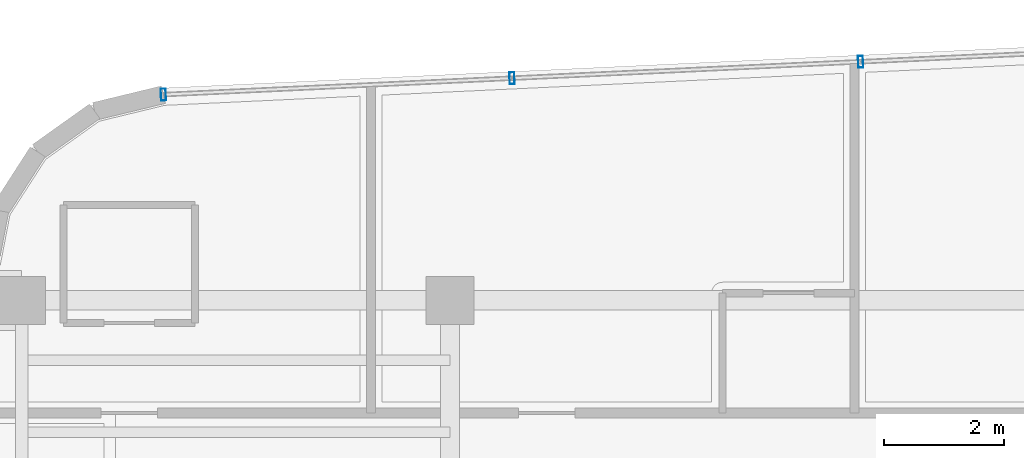
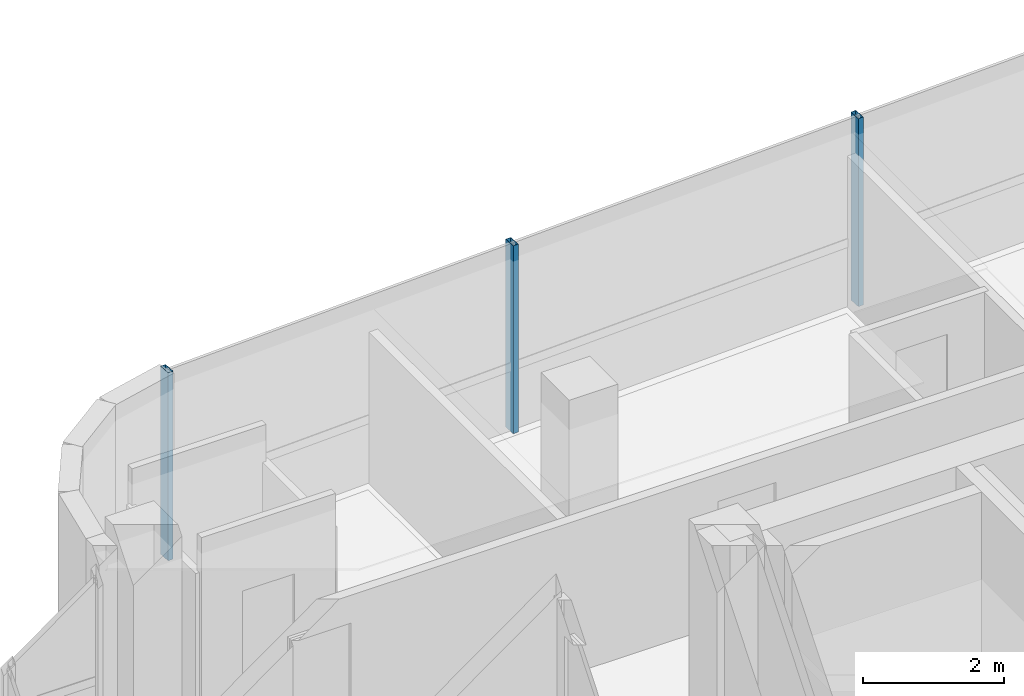
# One storey, part 12 of 20: 3 members, 1 element without a shape of its own.
"""IFC4 building model written with IfcOpenShell, lengths in metres."""

from ifc_helpers import new_model, si_unit, direction, frame, origin, origin_2d, place, context, subcontext, project, spatial, hollow_rectangle, extrude, source, transform, mapped, material, material_profile, profile_set, type_object, element, aggregate, save


model = new_model("IFC4")

# Units and contexts
model_context = context("Model", 3, precision=1e-05, world=origin(), true_north=direction((0.0, 1.0)))
body_context = subcontext(model_context, "Body", "Model", "MODEL_VIEW")
ifc_project = project(units=[si_unit("LENGTHUNIT", "METRE"), si_unit("AREAUNIT", "SQUARE_METRE"), si_unit("VOLUMEUNIT", "CUBIC_METRE"), si_unit("PLANEANGLEUNIT", "RADIAN"), si_unit("MASSUNIT", "GRAM", prefix="KILO")], contexts=[model_context])

# Site, building, storey
site_placement = place(None, origin())
site = spatial("IfcSite", under=ifc_project, at=site_placement, CompositionType="ELEMENT")
building_placement = place(site_placement, origin())
building = spatial("IfcBuilding", under=site, at=building_placement, Name="Valdorenza Pilgrim Sanctuary Tower", CompositionType="ELEMENT")
storey_placement = place(building_placement, frame((0.0, 0.0, 283.5)))
storey = spatial("IfcBuildingStorey", under=building, at=storey_placement, Name="L74", CompositionType="ELEMENT", Elevation=283.5)

# Curtain wall, members
ifc_material_1 = material(Name="Curtain-wall IGU glazing", Category="glass")
curtain_wall_type = type_object("IfcCurtainWallType", Name="CW-SYS-02", PredefinedType="NOTDEFINED", material=ifc_material_1)
curtain_wall_placement = place(storey_placement, origin())
curtain_wall = element("IfcCurtainWall", 1, at=curtain_wall_placement, inside=storey, type_object=curtain_wall_type, Name="L74 Curtain Wall CW-L74-1-6", PredefinedType="NOTDEFINED")
ifc_material_2 = material(Name="Anodised aluminium AW-6060", Category="aluminium")
ifc_material_profile = material_profile(ifc_material_2, hollow_rectangle(XDim=0.0849609375, YDim=0.199951171875, WallThickness=0.0048828125, at=origin_2d()), Name="ALU-M 200x85x5")
ifc_profile_set = profile_set([ifc_material_profile], Name="Anodised aluminium AW-6060")
member_type = type_object("IfcMemberType", Name="CW-MUL-02", PredefinedType="MULLION", material=ifc_profile_set)
shared_shape = source(origin(), body_context, "Body", "SweptSolid", [
    extrude(hollow_rectangle(XDim=0.0849609375, YDim=0.199951171875, WallThickness=0.0048828125, at=origin_2d()), origin(), (0.0, 0.0, 1.0), 3.260009765625),
])
member_1_placement = place(storey_placement, frame((-27.43505859375, 18.234375, 0.0), z_axis=(0.0, 0.0, 1.0), x_axis=(0.998890696972, 0.047089016785, 0.0)))
member_1 = element("IfcMember", 2, at=member_1_placement, type_object=member_type, Name="CW-L74-1-6 Mullion 1", PredefinedType="MULLION", context=body_context, shape_type="MappedRepresentation", body=[
    mapped(shared_shape, transform((0.0, 0.0, 0.0), x_axis=(1.0, 0.0, 0.0), y_axis=(0.0, 1.0, 0.0), z_axis=(0.0, 0.0, 1.0), scale=1.0)),
])
member_2_placement = place(storey_placement, frame((-21.615478515625, 18.5087890625, 0.0), z_axis=(0.0, 0.0, 1.0), x_axis=(0.998890696972, 0.047089016785, 0.0)))
member_2 = element("IfcMember", 3, at=member_2_placement, type_object=member_type, Name="CW-L74-1-6 Mullion 2", PredefinedType="MULLION", context=body_context, shape_type="MappedRepresentation", body=[
    mapped(shared_shape, transform((0.0, 0.0, 0.0), x_axis=(1.0, 0.0, 0.0), y_axis=(0.0, 1.0, 0.0), z_axis=(0.0, 0.0, 1.0), scale=1.0)),
])
member_3_placement = place(storey_placement, frame((-15.7958984375, 18.782958984375, 0.0), z_axis=(0.0, 0.0, 1.0), x_axis=(0.998890696972, 0.047089016785, 0.0)))
member_3 = element("IfcMember", 4, at=member_3_placement, type_object=member_type, Name="CW-L74-1-6 Mullion 3", PredefinedType="MULLION", context=body_context, shape_type="MappedRepresentation", body=[
    mapped(shared_shape, transform((0.0, 0.0, 0.0), x_axis=(1.0, 0.0, 0.0), y_axis=(0.0, 1.0, 0.0), z_axis=(0.0, 0.0, 1.0), scale=1.0)),
])
aggregate(curtain_wall, [member_1, member_2, member_3])

save(model, "model.ifc")
